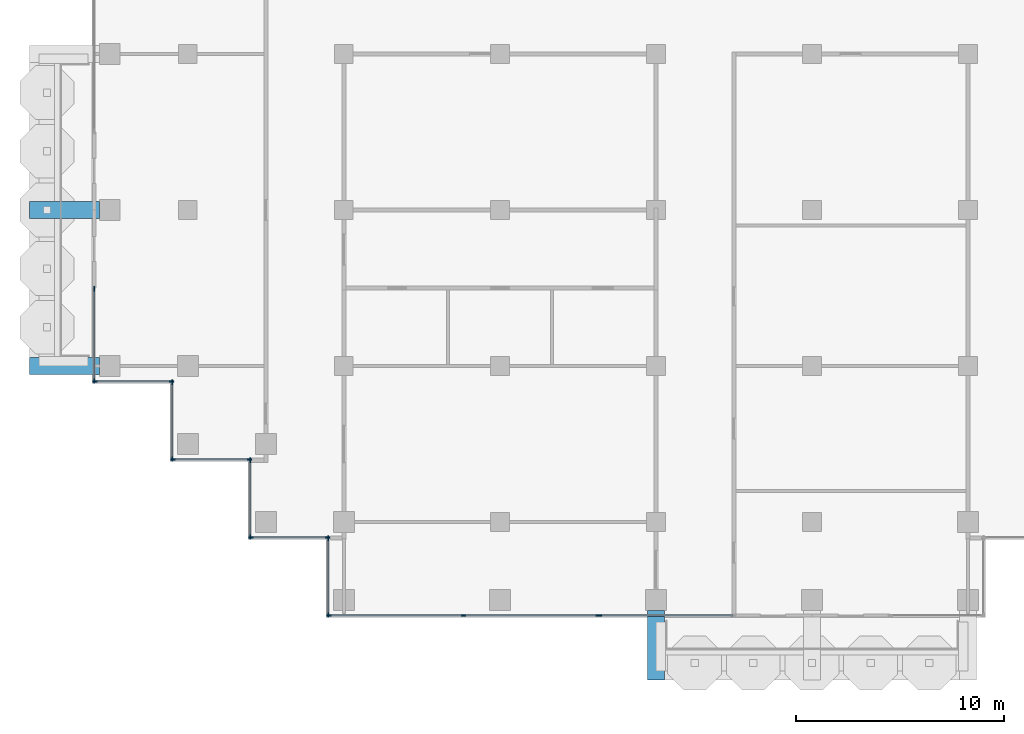
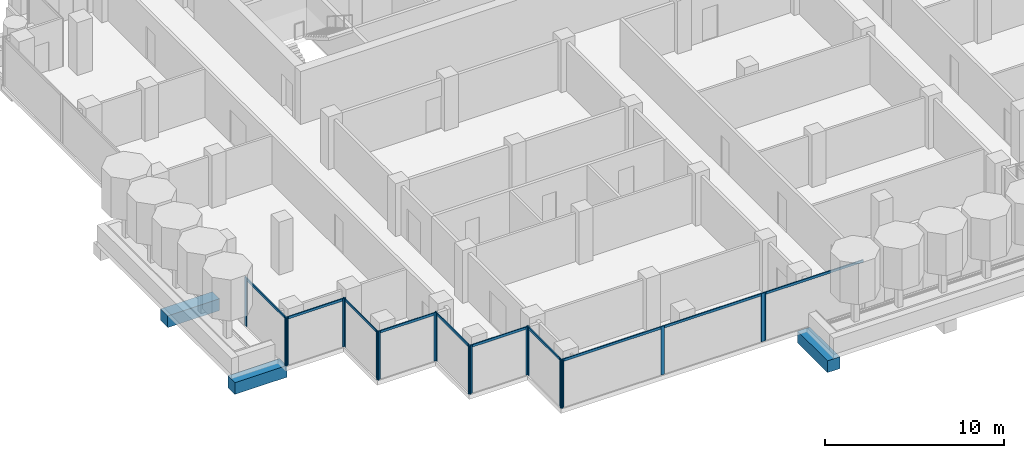
# One storey, part 2 of 18: 28 members, 3 beams, 9 elements without a shape of their own.
"""IFC4 building model written with IfcOpenShell, lengths in metres."""

from ifc_helpers import new_model, si_unit, direction, frame, origin, origin_2d, place, context, subcontext, project, spatial, rectangle, extrude, material, material_profile, profile_set, type_object, element, aggregate, save


model = new_model("IFC4")

# Units and contexts
model_context = context("Model", 3, precision=1e-05, world=origin(), true_north=direction((0.0, 1.0)))
body_context = subcontext(model_context, "Body", "Model", "MODEL_VIEW")
ifc_project = project(units=[si_unit("LENGTHUNIT", "METRE"), si_unit("AREAUNIT", "SQUARE_METRE"), si_unit("VOLUMEUNIT", "CUBIC_METRE"), si_unit("PLANEANGLEUNIT", "RADIAN"), si_unit("MASSUNIT", "GRAM", prefix="KILO")], contexts=[model_context])

# Site, building, storey
site_placement = place(None, origin())
site = spatial("IfcSite", under=ifc_project, at=site_placement, CompositionType="ELEMENT")
building_placement = place(site_placement, origin())
building = spatial("IfcBuilding", under=site, at=building_placement, Name="Pilkhan Gate Tower", CompositionType="ELEMENT")
storey_placement = place(building_placement, frame((0.0, 0.0, 203.10009765625)))
storey = spatial("IfcBuildingStorey", under=building, at=storey_placement, Name="L52", CompositionType="ELEMENT", Elevation=203.10009765625)

# Beams
ifc_material_1 = material(Name="Concrete C50/60", Category="concrete")
ifc_material_profile_1 = material_profile(ifc_material_1, rectangle(XDim=0.800048828125, YDim=0.800048828125, at=origin_2d()), Name="RC 800x800")
ifc_profile_set_1 = profile_set([ifc_material_profile_1], Name="Concrete C50/60")
beam_type = type_object("IfcBeamType", Name="Cantilever beam CB2 RC 800x800 C50/60", PredefinedType="BEAM", material=ifc_profile_set_1)
for number, where, z_axis, x_axis, name in (
    (1, (75.0, 40.75, -0.7001953125), (0.0, -1.0, 0.0), (1.0, 0.0, 0.0), "Balcony beam S.1 L52"),
    (2, (48.25, 52.5, -0.7001953125), (-1.0, 0.0, 0.0), (0.0, -1.0, 0.0), "Balcony beam W.1 L52"),
    (3, (48.25, 60.0, -0.7001953125), (-1.0, 0.0, 0.0), (0.0, -1.0, 0.0), "Balcony beam W.2 L52"),
):
    element("IfcBeam", number, at=place(storey_placement, frame(where, z_axis=z_axis, x_axis=x_axis)), inside=storey, type_object=beam_type, Name=name, PredefinedType="BEAM", context=body_context, shape_type="SweptSolid", body=[
        extrude(rectangle(XDim=0.800048828125, YDim=0.800048828125, at=origin_2d()), origin(), (0.0, 0.0, 1.0), 3.35009765625),
    ])

# Curtain wall, members
ifc_material_2 = material(Name="Pale anodised aluminium, clear low-iron double glazing", Category="aluminium")
curtain_wall_type = type_object("IfcCurtainWallType", Name="Office unitised curtain wall CW-O2", PredefinedType="USERDEFINED", material=ifc_material_2)
curtain_wall_1_placement = place(storey_placement, origin())
curtain_wall_1 = element("IfcCurtainWall", 4, at=curtain_wall_1_placement, inside=storey, type_object=curtain_wall_type, Name="Office unitised curtain wall CW-O2 L52 W", ObjectType="UNITISED CURTAIN WALL", PredefinedType="USERDEFINED")
ifc_material_3 = material(Name="Pale anodised aluminium", Category="aluminium")
ifc_material_profile_2 = material_profile(ifc_material_3, rectangle(XDim=0.06494140625, YDim=0.22509765625, at=origin_2d()), Name="Mullion 225x65")
ifc_profile_set_2 = profile_set([ifc_material_profile_2], Name="Pale anodised aluminium")
member_type_1 = type_object("IfcMemberType", Name="Mullion CW-O2 225x65", PredefinedType="MULLION", material=ifc_profile_set_2)
member_1_placement = place(storey_placement, frame((48.0, 51.782470703125, 0.0), z_axis=(0.0, 0.0, 1.0), x_axis=(-1.0, 0.0, 0.0)))
member_1 = element("IfcMember", 5, at=member_1_placement, type_object=member_type_1, Name="CW-O2 mullion 1", PredefinedType="MULLION", context=body_context, shape_type="SweptSolid", body=[
    extrude(rectangle(XDim=0.06494140625, YDim=0.22509765625, at=origin_2d()), origin(), (0.0, 0.0, 1.0), 3.2998046875),
])
member_2_placement = place(storey_placement, frame((48.0, 56.217529296875, 0.0), z_axis=(0.0, 0.0, 1.0), x_axis=(-1.0, 0.0, 0.0)))
member_2 = element("IfcMember", 6, at=member_2_placement, type_object=member_type_1, Name="CW-O2 mullion 2", PredefinedType="MULLION", context=body_context, shape_type="SweptSolid", body=[
    extrude(rectangle(XDim=0.06494140625, YDim=0.22509765625, at=origin_2d()), origin(), (0.0, 0.0, 1.0), 3.2998046875),
])

curtain_wall_2_placement = place(storey_placement, origin())
curtain_wall_2 = element("IfcCurtainWall", 7, at=curtain_wall_2_placement, inside=storey, type_object=curtain_wall_type, Name="Office unitised curtain wall CW-O2 L52 S", ObjectType="UNITISED CURTAIN WALL", PredefinedType="USERDEFINED")
member_3_placement = place(storey_placement, frame((48.032470703125, 51.75, 0.0), z_axis=(0.0, 0.0, 1.0), x_axis=(0.0, 1.0, 0.0)))
member_3 = element("IfcMember", 8, at=member_3_placement, type_object=member_type_1, Name="CW-O2 mullion 1", PredefinedType="MULLION", context=body_context, shape_type="SweptSolid", body=[
    extrude(rectangle(XDim=0.06494140625, YDim=0.22509765625, at=origin_2d()), origin(), (0.0, 0.0, 1.0), 3.2998046875),
])
member_4_placement = place(storey_placement, frame((51.717529296875, 51.75, 0.0), z_axis=(0.0, 0.0, 1.0), x_axis=(0.0, 1.0, 0.0)))
member_4 = element("IfcMember", 9, at=member_4_placement, type_object=member_type_1, Name="CW-O2 mullion 2", PredefinedType="MULLION", context=body_context, shape_type="SweptSolid", body=[
    extrude(rectangle(XDim=0.06494140625, YDim=0.22509765625, at=origin_2d()), origin(), (0.0, 0.0, 1.0), 3.2998046875),
])

curtain_wall_3_placement = place(storey_placement, origin())
curtain_wall_3 = element("IfcCurtainWall", 10, at=curtain_wall_3_placement, inside=storey, type_object=curtain_wall_type, Name="Office unitised curtain wall CW-O2 L52 W", ObjectType="UNITISED CURTAIN WALL", PredefinedType="USERDEFINED")
member_5_placement = place(storey_placement, frame((51.75, 48.032470703125, 0.0), z_axis=(0.0, 0.0, 1.0), x_axis=(-1.0, 0.0, 0.0)))
member_5 = element("IfcMember", 11, at=member_5_placement, type_object=member_type_1, Name="CW-O2 mullion 1", PredefinedType="MULLION", context=body_context, shape_type="SweptSolid", body=[
    extrude(rectangle(XDim=0.06494140625, YDim=0.22509765625, at=origin_2d()), origin(), (0.0, 0.0, 1.0), 3.2998046875),
])
member_6_placement = place(storey_placement, frame((51.75, 51.717529296875, 0.0), z_axis=(0.0, 0.0, 1.0), x_axis=(-1.0, 0.0, 0.0)))
member_6 = element("IfcMember", 12, at=member_6_placement, type_object=member_type_1, Name="CW-O2 mullion 2", PredefinedType="MULLION", context=body_context, shape_type="SweptSolid", body=[
    extrude(rectangle(XDim=0.06494140625, YDim=0.22509765625, at=origin_2d()), origin(), (0.0, 0.0, 1.0), 3.2998046875),
])

curtain_wall_4_placement = place(storey_placement, origin())
curtain_wall_4 = element("IfcCurtainWall", 13, at=curtain_wall_4_placement, inside=storey, type_object=curtain_wall_type, Name="Office unitised curtain wall CW-O2 L52 S", ObjectType="UNITISED CURTAIN WALL", PredefinedType="USERDEFINED")
member_7_placement = place(storey_placement, frame((51.782470703125, 48.0, 0.0), z_axis=(0.0, 0.0, 1.0), x_axis=(0.0, 1.0, 0.0)))
member_7 = element("IfcMember", 14, at=member_7_placement, type_object=member_type_1, Name="CW-O2 mullion 1", PredefinedType="MULLION", context=body_context, shape_type="SweptSolid", body=[
    extrude(rectangle(XDim=0.06494140625, YDim=0.22509765625, at=origin_2d()), origin(), (0.0, 0.0, 1.0), 3.2998046875),
])
member_8_placement = place(storey_placement, frame((55.467529296875, 48.0, 0.0), z_axis=(0.0, 0.0, 1.0), x_axis=(0.0, 1.0, 0.0)))
member_8 = element("IfcMember", 15, at=member_8_placement, type_object=member_type_1, Name="CW-O2 mullion 2", PredefinedType="MULLION", context=body_context, shape_type="SweptSolid", body=[
    extrude(rectangle(XDim=0.06494140625, YDim=0.22509765625, at=origin_2d()), origin(), (0.0, 0.0, 1.0), 3.2998046875),
])

curtain_wall_5_placement = place(storey_placement, origin())
curtain_wall_5 = element("IfcCurtainWall", 16, at=curtain_wall_5_placement, inside=storey, type_object=curtain_wall_type, Name="Office unitised curtain wall CW-O2 L52 W", ObjectType="UNITISED CURTAIN WALL", PredefinedType="USERDEFINED")
member_9_placement = place(storey_placement, frame((55.5, 44.282470703125, 0.0), z_axis=(0.0, 0.0, 1.0), x_axis=(-1.0, 0.0, 0.0)))
member_9 = element("IfcMember", 17, at=member_9_placement, type_object=member_type_1, Name="CW-O2 mullion 1", PredefinedType="MULLION", context=body_context, shape_type="SweptSolid", body=[
    extrude(rectangle(XDim=0.06494140625, YDim=0.22509765625, at=origin_2d()), origin(), (0.0, 0.0, 1.0), 3.2998046875),
])
member_10_placement = place(storey_placement, frame((55.5, 47.967529296875, 0.0), z_axis=(0.0, 0.0, 1.0), x_axis=(-1.0, 0.0, 0.0)))
member_10 = element("IfcMember", 18, at=member_10_placement, type_object=member_type_1, Name="CW-O2 mullion 2", PredefinedType="MULLION", context=body_context, shape_type="SweptSolid", body=[
    extrude(rectangle(XDim=0.06494140625, YDim=0.22509765625, at=origin_2d()), origin(), (0.0, 0.0, 1.0), 3.2998046875),
])

curtain_wall_6_placement = place(storey_placement, origin())
curtain_wall_6 = element("IfcCurtainWall", 19, at=curtain_wall_6_placement, inside=storey, type_object=curtain_wall_type, Name="Office unitised curtain wall CW-O2 L52 S", ObjectType="UNITISED CURTAIN WALL", PredefinedType="USERDEFINED")
member_11_placement = place(storey_placement, frame((55.532470703125, 44.25, 0.0), z_axis=(0.0, 0.0, 1.0), x_axis=(0.0, 1.0, 0.0)))
member_11 = element("IfcMember", 20, at=member_11_placement, type_object=member_type_1, Name="CW-O2 mullion 1", PredefinedType="MULLION", context=body_context, shape_type="SweptSolid", body=[
    extrude(rectangle(XDim=0.06494140625, YDim=0.22509765625, at=origin_2d()), origin(), (0.0, 0.0, 1.0), 3.2998046875),
])
member_12_placement = place(storey_placement, frame((59.217529296875, 44.25, 0.0), z_axis=(0.0, 0.0, 1.0), x_axis=(0.0, 1.0, 0.0)))
member_12 = element("IfcMember", 21, at=member_12_placement, type_object=member_type_1, Name="CW-O2 mullion 2", PredefinedType="MULLION", context=body_context, shape_type="SweptSolid", body=[
    extrude(rectangle(XDim=0.06494140625, YDim=0.22509765625, at=origin_2d()), origin(), (0.0, 0.0, 1.0), 3.2998046875),
])

curtain_wall_7_placement = place(storey_placement, origin())
curtain_wall_7 = element("IfcCurtainWall", 22, at=curtain_wall_7_placement, inside=storey, type_object=curtain_wall_type, Name="Office unitised curtain wall CW-O2 L52 W", ObjectType="UNITISED CURTAIN WALL", PredefinedType="USERDEFINED")
member_13_placement = place(storey_placement, frame((59.25, 40.532470703125, 0.0), z_axis=(0.0, 0.0, 1.0), x_axis=(-1.0, 0.0, 0.0)))
member_13 = element("IfcMember", 23, at=member_13_placement, type_object=member_type_1, Name="CW-O2 mullion 1", PredefinedType="MULLION", context=body_context, shape_type="SweptSolid", body=[
    extrude(rectangle(XDim=0.06494140625, YDim=0.22509765625, at=origin_2d()), origin(), (0.0, 0.0, 1.0), 3.2998046875),
])
member_14_placement = place(storey_placement, frame((59.25, 44.217529296875, 0.0), z_axis=(0.0, 0.0, 1.0), x_axis=(-1.0, 0.0, 0.0)))
member_14 = element("IfcMember", 24, at=member_14_placement, type_object=member_type_1, Name="CW-O2 mullion 2", PredefinedType="MULLION", context=body_context, shape_type="SweptSolid", body=[
    extrude(rectangle(XDim=0.06494140625, YDim=0.22509765625, at=origin_2d()), origin(), (0.0, 0.0, 1.0), 3.2998046875),
])

curtain_wall_8_placement = place(storey_placement, origin())
curtain_wall_8 = element("IfcCurtainWall", 25, at=curtain_wall_8_placement, inside=storey, type_object=curtain_wall_type, Name="Office unitised curtain wall CW-O2 L52 S", ObjectType="UNITISED CURTAIN WALL", PredefinedType="USERDEFINED")
member_15_placement = place(storey_placement, frame((59.282470703125, 40.5, 0.0), z_axis=(0.0, 0.0, 1.0), x_axis=(0.0, 1.0, 0.0)))
member_15 = element("IfcMember", 26, at=member_15_placement, type_object=member_type_1, Name="CW-O2 mullion 1", PredefinedType="MULLION", context=body_context, shape_type="SweptSolid", body=[
    extrude(rectangle(XDim=0.06494140625, YDim=0.22509765625, at=origin_2d()), origin(), (0.0, 0.0, 1.0), 3.2998046875),
])
member_16_placement = place(storey_placement, frame((65.75, 40.5, 0.0), z_axis=(0.0, 0.0, 1.0), x_axis=(0.0, 1.0, 0.0)))
member_16 = element("IfcMember", 27, at=member_16_placement, type_object=member_type_1, Name="CW-O2 mullion 2", PredefinedType="MULLION", context=body_context, shape_type="SweptSolid", body=[
    extrude(rectangle(XDim=0.06494140625, YDim=0.22509765625, at=origin_2d()), origin(), (0.0, 0.0, 1.0), 3.2998046875),
])
member_17_placement = place(storey_placement, frame((72.217529296875, 40.5, 0.0), z_axis=(0.0, 0.0, 1.0), x_axis=(0.0, 1.0, 0.0)))
member_17 = element("IfcMember", 28, at=member_17_placement, type_object=member_type_1, Name="CW-O2 mullion 3", PredefinedType="MULLION", context=body_context, shape_type="SweptSolid", body=[
    extrude(rectangle(XDim=0.06494140625, YDim=0.22509765625, at=origin_2d()), origin(), (0.0, 0.0, 1.0), 3.2998046875),
])

# Curtain wall, member
curtain_wall_9_placement = place(storey_placement, origin())
curtain_wall_9 = element("IfcCurtainWall", 29, at=curtain_wall_9_placement, inside=storey, type_object=curtain_wall_type, Name="Office unitised curtain wall CW-O2 L52 S", ObjectType="UNITISED CURTAIN WALL", PredefinedType="USERDEFINED")
member_18_placement = place(storey_placement, frame((72.282470703125, 40.5, 0.0), z_axis=(0.0, 0.0, 1.0), x_axis=(0.0, 1.0, 0.0)))
member_18 = element("IfcMember", 30, at=member_18_placement, type_object=member_type_1, Name="CW-O2 mullion 1", PredefinedType="MULLION", context=body_context, shape_type="SweptSolid", body=[
    extrude(rectangle(XDim=0.06494140625, YDim=0.22509765625, at=origin_2d()), origin(), (0.0, 0.0, 1.0), 3.2998046875),
])

# Member
ifc_material_profile_3 = material_profile(ifc_material_3, rectangle(XDim=0.06494140625, YDim=0.1650390625, at=origin_2d()), Name="Transom 165x65")
ifc_profile_set_3 = profile_set([ifc_material_profile_3], Name="Pale anodised aluminium")
member_type_2 = type_object("IfcMemberType", Name="Transom CW-O2 165x65", PredefinedType="USERDEFINED", material=ifc_profile_set_3)
member_19_placement = place(storey_placement, frame((48.0, 51.81494140625, 3.21728515625), z_axis=(0.0, 1.0, 0.0), x_axis=(-1.0, 0.0, 0.0)))
member_19 = element("IfcMember", 31, at=member_19_placement, type_object=member_type_2, Name="CW-O2 transom 1", ObjectType="TRANSOM", PredefinedType="USERDEFINED", context=body_context, shape_type="SweptSolid", body=[
    extrude(rectangle(XDim=0.06494140625, YDim=0.1650390625, at=origin_2d()), origin(), (0.0, 0.0, 1.0), 4.3701171875),
])

aggregate(curtain_wall_1, [member_1, member_2, member_19])

member_20_placement = place(storey_placement, frame((48.06494140625, 51.75, 3.21728515625), z_axis=(1.0, 0.0, 0.0), x_axis=(0.0, 1.0, 0.0)))
member_20 = element("IfcMember", 32, at=member_20_placement, type_object=member_type_2, Name="CW-O2 transom 1", ObjectType="TRANSOM", PredefinedType="USERDEFINED", context=body_context, shape_type="SweptSolid", body=[
    extrude(rectangle(XDim=0.06494140625, YDim=0.1650390625, at=origin_2d()), origin(), (0.0, 0.0, 1.0), 3.6201171875),
])

aggregate(curtain_wall_2, [member_3, member_4, member_20])

member_21_placement = place(storey_placement, frame((51.75, 48.06494140625, 3.21728515625), z_axis=(0.0, 1.0, 0.0), x_axis=(-1.0, 0.0, 0.0)))
member_21 = element("IfcMember", 33, at=member_21_placement, type_object=member_type_2, Name="CW-O2 transom 1", ObjectType="TRANSOM", PredefinedType="USERDEFINED", context=body_context, shape_type="SweptSolid", body=[
    extrude(rectangle(XDim=0.06494140625, YDim=0.1650390625, at=origin_2d()), origin(), (0.0, 0.0, 1.0), 3.6201171875),
])

aggregate(curtain_wall_3, [member_5, member_6, member_21])

member_22_placement = place(storey_placement, frame((51.81494140625, 48.0, 3.21728515625), z_axis=(1.0, 0.0, 0.0), x_axis=(0.0, 1.0, 0.0)))
member_22 = element("IfcMember", 34, at=member_22_placement, type_object=member_type_2, Name="CW-O2 transom 1", ObjectType="TRANSOM", PredefinedType="USERDEFINED", context=body_context, shape_type="SweptSolid", body=[
    extrude(rectangle(XDim=0.06494140625, YDim=0.1650390625, at=origin_2d()), origin(), (0.0, 0.0, 1.0), 3.6201171875),
])

aggregate(curtain_wall_4, [member_7, member_8, member_22])

member_23_placement = place(storey_placement, frame((55.5, 44.31494140625, 3.21728515625), z_axis=(0.0, 1.0, 0.0), x_axis=(-1.0, 0.0, 0.0)))
member_23 = element("IfcMember", 35, at=member_23_placement, type_object=member_type_2, Name="CW-O2 transom 1", ObjectType="TRANSOM", PredefinedType="USERDEFINED", context=body_context, shape_type="SweptSolid", body=[
    extrude(rectangle(XDim=0.06494140625, YDim=0.1650390625, at=origin_2d()), origin(), (0.0, 0.0, 1.0), 3.6201171875),
])

aggregate(curtain_wall_5, [member_9, member_10, member_23])

member_24_placement = place(storey_placement, frame((55.56494140625, 44.25, 3.21728515625), z_axis=(1.0, 0.0, 0.0), x_axis=(0.0, 1.0, 0.0)))
member_24 = element("IfcMember", 36, at=member_24_placement, type_object=member_type_2, Name="CW-O2 transom 1", ObjectType="TRANSOM", PredefinedType="USERDEFINED", context=body_context, shape_type="SweptSolid", body=[
    extrude(rectangle(XDim=0.06494140625, YDim=0.1650390625, at=origin_2d()), origin(), (0.0, 0.0, 1.0), 3.6201171875),
])

aggregate(curtain_wall_6, [member_11, member_12, member_24])

member_25_placement = place(storey_placement, frame((59.25, 40.56494140625, 3.21728515625), z_axis=(0.0, 1.0, 0.0), x_axis=(-1.0, 0.0, 0.0)))
member_25 = element("IfcMember", 37, at=member_25_placement, type_object=member_type_2, Name="CW-O2 transom 1", ObjectType="TRANSOM", PredefinedType="USERDEFINED", context=body_context, shape_type="SweptSolid", body=[
    extrude(rectangle(XDim=0.06494140625, YDim=0.1650390625, at=origin_2d()), origin(), (0.0, 0.0, 1.0), 3.6201171875),
])

aggregate(curtain_wall_7, [member_13, member_14, member_25])

member_26_placement = place(storey_placement, frame((59.31494140625, 40.5, 3.21728515625), z_axis=(1.0, 0.0, 0.0), x_axis=(0.0, 1.0, 0.0)))
member_26 = element("IfcMember", 38, at=member_26_placement, type_object=member_type_2, Name="CW-O2 transom 1", ObjectType="TRANSOM", PredefinedType="USERDEFINED", context=body_context, shape_type="SweptSolid", body=[
    extrude(rectangle(XDim=0.06494140625, YDim=0.1650390625, at=origin_2d()), origin(), (0.0, 0.0, 1.0), 6.402587890625),
])

member_27_placement = place(storey_placement, frame((65.782470703125, 40.5, 3.21728515625), z_axis=(1.0, 0.0, 0.0), x_axis=(0.0, 1.0, 0.0)))
member_27 = element("IfcMember", 39, at=member_27_placement, type_object=member_type_2, Name="CW-O2 transom 2", ObjectType="TRANSOM", PredefinedType="USERDEFINED", context=body_context, shape_type="SweptSolid", body=[
    extrude(rectangle(XDim=0.06494140625, YDim=0.1650390625, at=origin_2d()), origin(), (0.0, 0.0, 1.0), 6.402587890625),
])

aggregate(curtain_wall_8, [member_15, member_16, member_17, member_26, member_27])

member_28_placement = place(storey_placement, frame((72.31494140625, 40.5, 3.21728515625), z_axis=(1.0, 0.0, 0.0), x_axis=(0.0, 1.0, 0.0)))
member_28 = element("IfcMember", 40, at=member_28_placement, type_object=member_type_2, Name="CW-O2 transom 1", ObjectType="TRANSOM", PredefinedType="USERDEFINED", context=body_context, shape_type="SweptSolid", body=[
    extrude(rectangle(XDim=0.06494140625, YDim=0.1650390625, at=origin_2d()), origin(), (0.0, 0.0, 1.0), 6.3701171875),
])

aggregate(curtain_wall_9, [member_18, member_28])

save(model, "model.ifc")
